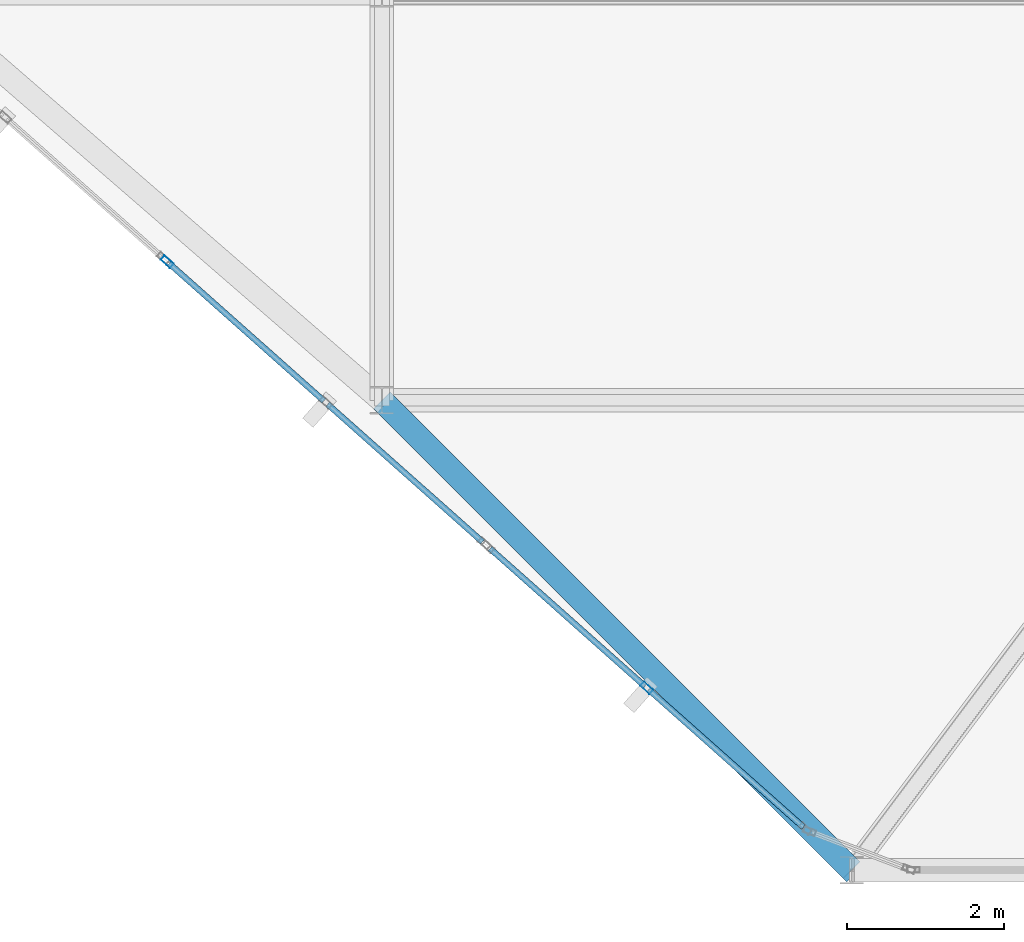
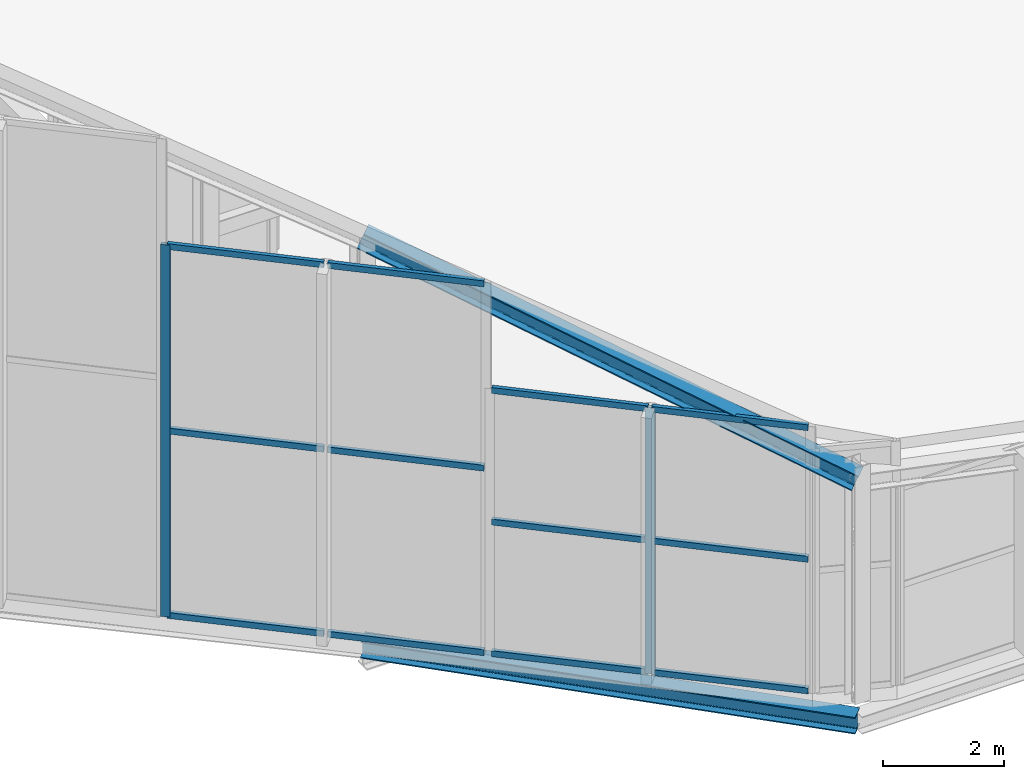
# One storey, part 3 of 74: 14 members, 2 beams, 2 elements without a shape of their own.
"""IFC4 building model written with IfcOpenShell, lengths in metres."""

from ifc_helpers import new_model, si_unit, direction, frame, origin, origin_2d, place, context, subcontext, project, spatial, hollow_rectangle, i_section, extrude, material, layer, layer_set, material_profile, profile_set, type_object, element, aggregate, save


model = new_model("IFC4")

# Units and contexts
model_context = context("Model", 3, precision=1e-05, world=origin(), true_north=direction((0.0, 1.0)))
body_context = subcontext(model_context, "Body", "Model", "MODEL_VIEW")
ifc_project = project(units=[si_unit("LENGTHUNIT", "METRE"), si_unit("AREAUNIT", "SQUARE_METRE"), si_unit("VOLUMEUNIT", "CUBIC_METRE"), si_unit("PLANEANGLEUNIT", "RADIAN"), si_unit("MASSUNIT", "GRAM", prefix="KILO")], contexts=[model_context])

# Site, building, storey
site_placement = place(None, origin())
site = spatial("IfcSite", under=ifc_project, at=site_placement, CompositionType="ELEMENT")
building_placement = place(site_placement, origin())
building = spatial("IfcBuilding", under=site, at=building_placement, Name="Keshet Zoharim Tower", CompositionType="ELEMENT")
storey_placement = place(building_placement, frame((0.0, 0.0, 320.0)))
storey = spatial("IfcBuildingStorey", under=building, at=storey_placement, Name="RF", CompositionType="ELEMENT", Elevation=320.0)

# Beams
ifc_material_1 = material(Name="Steel S355", Category="steel")
ifc_material_profile_1 = material_profile(ifc_material_1, i_section(OverallWidth=0.300048828125, OverallDepth=0.340087890625, WebThickness=0.011962890625, FlangeThickness=0.021484375, FilletRadius=0.027099609375, at=origin_2d()), Name="HEB340")
ifc_profile_set_1 = profile_set([ifc_material_profile_1], Name="Steel S355")
beam_type = type_object("IfcBeamType", Name="BM-SPN-HB340", PredefinedType="SPANDREL", material=ifc_profile_set_1)
beam_1_placement = place(storey_placement, frame((21.0, 6.699951171875, -0.47998046875), z_axis=(-0.707106781187, 0.707106781187, 0.0), x_axis=(-0.707106781187, -0.707106781187, 0.0)))
element("IfcBeam", 1, at=beam_1_placement, inside=storey, type_object=beam_type, Name="RF Perimeter Spandrel Beam 01", PredefinedType="SPANDREL", context=body_context, shape_type="SweptSolid", body=[
    extrude(i_section(OverallWidth=0.300048828125, OverallDepth=0.340087890625, WebThickness=0.011962890625, FlangeThickness=0.021484375, FilletRadius=0.027099609375, at=origin_2d()), origin(), (0.0, 0.0, 1.0), 8.4853515625),
])
beam_2_placement = place(storey_placement, frame((21.0, 6.699951171875, 4.417236328125), z_axis=(-0.657359032346, 0.657359032346, 0.368453803327), x_axis=(-0.707106781187, -0.707106781187, 0.0)))
element("IfcBeam", 2, at=beam_2_placement, inside=storey, type_object=beam_type, Name="Crown Sloped Perimeter Ring Beam 06", PredefinedType="SPANDREL", context=body_context, shape_type="SweptSolid", body=[
    extrude(i_section(OverallWidth=0.300048828125, OverallDepth=0.340087890625, WebThickness=0.011962890625, FlangeThickness=0.021484375, FilletRadius=0.027099609375, at=origin_2d()), origin(), (0.0, 0.0, 1.0), 9.12744140625),
])

# Curtain wall, member
ifc_material_2 = material(Name="Aluminium 6063-T6", Category="aluminium")
ifc_layer = layer(ifc_material_2, 0.260009765625)
ifc_layer_set = layer_set([ifc_layer], Name="Aluminium 6063-T6")
curtain_wall_type = type_object("IfcCurtainWallType", Name="CW-SYS-06", PredefinedType="NOTDEFINED", material=ifc_layer_set)
curtain_wall_1_placement = place(storey_placement, origin())
curtain_wall_1 = element("IfcCurtainWall", 3, at=curtain_wall_1_placement, inside=storey, type_object=curtain_wall_type, Name="Slanted Crown Curtain Wall 33", PredefinedType="NOTDEFINED")
ifc_material_profile_2 = material_profile(ifc_material_2, hollow_rectangle(XDim=0.074951171875, YDim=0.159912109375, WallThickness=0.00390625, at=origin_2d()), Name="MUL-75x160")
ifc_profile_set_2 = profile_set([ifc_material_profile_2], Name="Aluminium 6063-T6")
member_type_1 = type_object("IfcMemberType", Name="CWM-M15", PredefinedType="MULLION", material=ifc_profile_set_2)
member_1_placement = place(storey_placement, frame((18.382568359375, 9.027099609375, 0.0), z_axis=(0.0, 0.0, 1.0), x_axis=(-0.664409105651, -0.747369079055, 0.0)))
member_1 = element("IfcMember", 4, at=member_1_placement, type_object=member_type_1, Name="CW-06 mullion 2", PredefinedType="MULLION", context=body_context, shape_type="SweptSolid", body=[
    extrude(hollow_rectangle(XDim=0.074951171875, YDim=0.159912109375, WallThickness=0.00390625, at=origin_2d()), origin(), (0.0, 0.0, 1.0), 5.386962890625),
])

curtain_wall_2_placement = place(storey_placement, origin())
curtain_wall_2 = element("IfcCurtainWall", 5, at=curtain_wall_2_placement, inside=storey, type_object=curtain_wall_type, Name="Slanted Crown Curtain Wall 34", PredefinedType="NOTDEFINED")
member_2_placement = place(storey_placement, frame((12.25732421875, 14.470458984375, 0.0), z_axis=(0.0, 0.0, 1.0), x_axis=(-0.664216707054, -0.747540076565, 0.0)))
member_2 = element("IfcMember", 6, at=member_2_placement, type_object=member_type_1, Name="CW-06 mullion 3", PredefinedType="MULLION", context=body_context, shape_type="SweptSolid", body=[
    extrude(hollow_rectangle(XDim=0.074951171875, YDim=0.159912109375, WallThickness=0.00390625, at=origin_2d()), origin(), (0.0, 0.0, 1.0), 7.52294921875),
])

# Member
ifc_material_profile_3 = material_profile(ifc_material_2, hollow_rectangle(XDim=0.074951171875, YDim=0.1201171875, WallThickness=0.00390625, at=origin_2d()), Name="TRN-75x120")
ifc_profile_set_3 = profile_set([ifc_material_profile_3], Name="Aluminium 6063-T6")
member_type_2 = type_object("IfcMemberType", Name="CWT-T12", PredefinedType="USERDEFINED", material=ifc_profile_set_3)
member_3_placement = place(storey_placement, frame((20.38330078125, 7.248291015625, 0.032470703125), z_axis=(-0.747383851873, 0.664392487886, 0.0), x_axis=(-0.664392487886, -0.747383851873, 0.0)))
member_3 = element("IfcMember", 7, at=member_3_placement, type_object=member_type_2, Name="CW-06 transom 1.1", ObjectType="TRANSOM", PredefinedType="USERDEFINED", context=body_context, shape_type="SweptSolid", body=[
    extrude(hollow_rectangle(XDim=0.074951171875, YDim=0.1201171875, WallThickness=0.00390625, at=origin_2d()), origin(), (0.0, 0.0, 1.0), 2.64453125),
])

member_4_placement = place(storey_placement, frame((20.38330078125, 7.248291015625, 2.693115234375), z_axis=(-0.747383851873, 0.664392487886, 0.0), x_axis=(-0.664392487886, -0.747383851873, 0.0)))
member_4 = element("IfcMember", 8, at=member_4_placement, type_object=member_type_2, Name="CW-06 transom 1.2", ObjectType="TRANSOM", PredefinedType="USERDEFINED", context=body_context, shape_type="SweptSolid", body=[
    extrude(hollow_rectangle(XDim=0.074951171875, YDim=0.1201171875, WallThickness=0.00390625, at=origin_2d()), origin(), (0.0, 0.0, 1.0), 2.64453125),
])

member_5_placement = place(storey_placement, frame((20.38330078125, 7.248291015625, 5.3544921875), z_axis=(-0.747383851873, 0.664392487886, 0.0), x_axis=(-0.664392487886, -0.747383851873, 0.0)))
member_5 = element("IfcMember", 9, at=member_5_placement, type_object=member_type_2, Name="CW-06 transom 1.3", ObjectType="TRANSOM", PredefinedType="USERDEFINED", context=body_context, shape_type="SweptSolid", body=[
    extrude(hollow_rectangle(XDim=0.074951171875, YDim=0.1201171875, WallThickness=0.00390625, at=origin_2d()), origin(), (0.0, 0.0, 1.0), 2.64453125),
])

member_6_placement = place(storey_placement, frame((18.358154296875, 9.048583984375, 0.032470703125), z_axis=(-0.74733801322, 0.664444048809, 0.0), x_axis=(-0.664444048809, -0.74733801322, 0.0)))
member_6 = element("IfcMember", 10, at=member_6_placement, type_object=member_type_2, Name="CW-06 transom 2.1", ObjectType="TRANSOM", PredefinedType="USERDEFINED", context=body_context, shape_type="SweptSolid", body=[
    extrude(hollow_rectangle(XDim=0.074951171875, YDim=0.1201171875, WallThickness=0.00390625, at=origin_2d()), origin(), (0.0, 0.0, 1.0), 2.644775390625),
])

member_7_placement = place(storey_placement, frame((18.358154296875, 9.048583984375, 2.693115234375), z_axis=(-0.74733801322, 0.664444048809, 0.0), x_axis=(-0.664444048809, -0.74733801322, 0.0)))
member_7 = element("IfcMember", 11, at=member_7_placement, type_object=member_type_2, Name="CW-06 transom 2.2", ObjectType="TRANSOM", PredefinedType="USERDEFINED", context=body_context, shape_type="SweptSolid", body=[
    extrude(hollow_rectangle(XDim=0.074951171875, YDim=0.1201171875, WallThickness=0.00390625, at=origin_2d()), origin(), (0.0, 0.0, 1.0), 2.644775390625),
])

member_8_placement = place(storey_placement, frame((18.358154296875, 9.048583984375, 5.3544921875), z_axis=(-0.74733801322, 0.664444048809, 0.0), x_axis=(-0.664444048809, -0.74733801322, 0.0)))
member_8 = element("IfcMember", 12, at=member_8_placement, type_object=member_type_2, Name="CW-06 transom 2.3", ObjectType="TRANSOM", PredefinedType="USERDEFINED", context=body_context, shape_type="SweptSolid", body=[
    extrude(hollow_rectangle(XDim=0.074951171875, YDim=0.1201171875, WallThickness=0.00390625, at=origin_2d()), origin(), (0.0, 0.0, 1.0), 2.644775390625),
])

aggregate(curtain_wall_1, [member_1, member_3, member_4, member_5, member_6, member_7, member_8])

member_9_placement = place(storey_placement, frame((16.284423828125, 10.89208984375, 0.032470703125), z_axis=(-0.747511167137, 0.66424924163, 0.0), x_axis=(-0.66424924163, -0.747511167137, 0.0)))
member_9 = element("IfcMember", 13, at=member_9_placement, type_object=member_type_2, Name="CW-06 transom 1.1", ObjectType="TRANSOM", PredefinedType="USERDEFINED", context=body_context, shape_type="SweptSolid", body=[
    extrude(hollow_rectangle(XDim=0.074951171875, YDim=0.1201171875, WallThickness=0.00390625, at=origin_2d()), origin(), (0.0, 0.0, 1.0), 2.644775390625),
])

member_10_placement = place(storey_placement, frame((16.284423828125, 10.89208984375, 3.761962890625), z_axis=(-0.747511167137, 0.66424924163, 0.0), x_axis=(-0.66424924163, -0.747511167137, 0.0)))
member_10 = element("IfcMember", 14, at=member_10_placement, type_object=member_type_2, Name="CW-06 transom 1.2", ObjectType="TRANSOM", PredefinedType="USERDEFINED", context=body_context, shape_type="SweptSolid", body=[
    extrude(hollow_rectangle(XDim=0.074951171875, YDim=0.1201171875, WallThickness=0.00390625, at=origin_2d()), origin(), (0.0, 0.0, 1.0), 2.644775390625),
])

member_11_placement = place(storey_placement, frame((16.284423828125, 10.89208984375, 7.490478515625), z_axis=(-0.747511167137, 0.66424924163, 0.0), x_axis=(-0.66424924163, -0.747511167137, 0.0)))
member_11 = element("IfcMember", 15, at=member_11_placement, type_object=member_type_2, Name="CW-06 transom 1.3", ObjectType="TRANSOM", PredefinedType="USERDEFINED", context=body_context, shape_type="SweptSolid", body=[
    extrude(hollow_rectangle(XDim=0.074951171875, YDim=0.1201171875, WallThickness=0.00390625, at=origin_2d()), origin(), (0.0, 0.0, 1.0), 2.644775390625),
])

member_12_placement = place(storey_placement, frame((14.2587890625, 12.692138671875, 0.032470703125), z_axis=(-0.74759772306, 0.664151823363, 0.0), x_axis=(-0.664151823363, -0.74759772306, 0.0)))
member_12 = element("IfcMember", 16, at=member_12_placement, type_object=member_type_2, Name="CW-06 transom 2.1", ObjectType="TRANSOM", PredefinedType="USERDEFINED", context=body_context, shape_type="SweptSolid", body=[
    extrude(hollow_rectangle(XDim=0.074951171875, YDim=0.1201171875, WallThickness=0.00390625, at=origin_2d()), origin(), (0.0, 0.0, 1.0), 2.644775390625),
])

member_13_placement = place(storey_placement, frame((14.2587890625, 12.692138671875, 3.761962890625), z_axis=(-0.74759772306, 0.664151823363, 0.0), x_axis=(-0.664151823363, -0.74759772306, 0.0)))
member_13 = element("IfcMember", 17, at=member_13_placement, type_object=member_type_2, Name="CW-06 transom 2.2", ObjectType="TRANSOM", PredefinedType="USERDEFINED", context=body_context, shape_type="SweptSolid", body=[
    extrude(hollow_rectangle(XDim=0.074951171875, YDim=0.1201171875, WallThickness=0.00390625, at=origin_2d()), origin(), (0.0, 0.0, 1.0), 2.644775390625),
])

member_14_placement = place(storey_placement, frame((14.2587890625, 12.692138671875, 7.490478515625), z_axis=(-0.74759772306, 0.664151823363, 0.0), x_axis=(-0.664151823363, -0.74759772306, 0.0)))
member_14 = element("IfcMember", 18, at=member_14_placement, type_object=member_type_2, Name="CW-06 transom 2.3", ObjectType="TRANSOM", PredefinedType="USERDEFINED", context=body_context, shape_type="SweptSolid", body=[
    extrude(hollow_rectangle(XDim=0.074951171875, YDim=0.1201171875, WallThickness=0.00390625, at=origin_2d()), origin(), (0.0, 0.0, 1.0), 2.644775390625),
])

aggregate(curtain_wall_2, [member_2, member_9, member_10, member_11, member_12, member_13, member_14])

save(model, "model.ifc")
